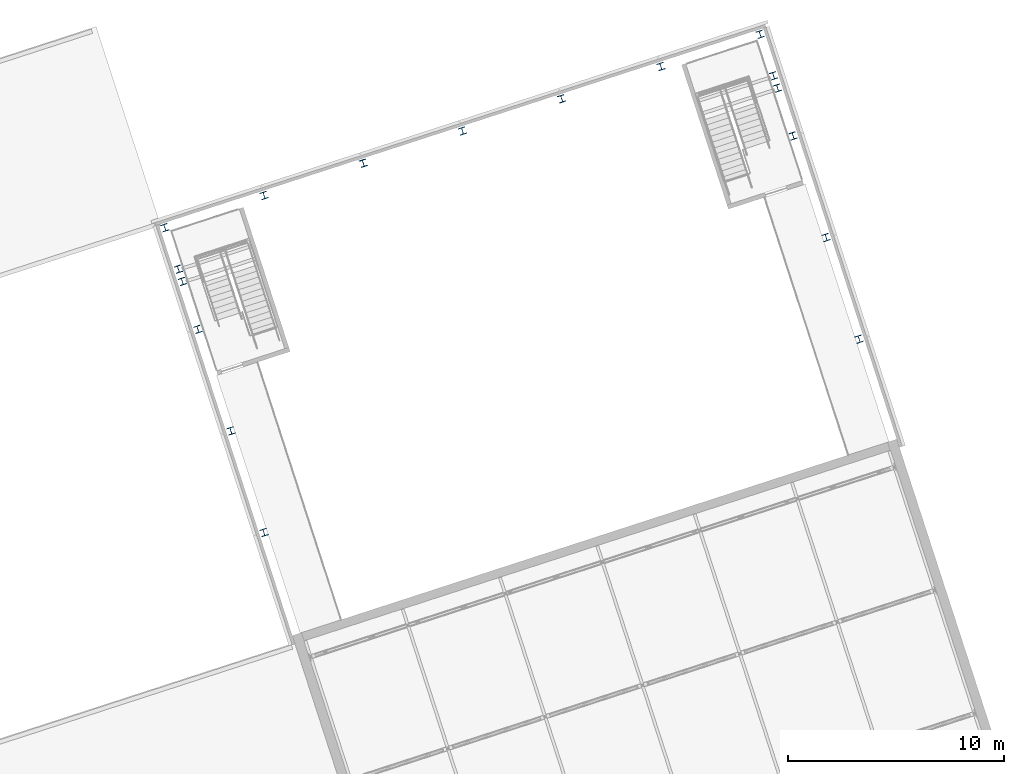
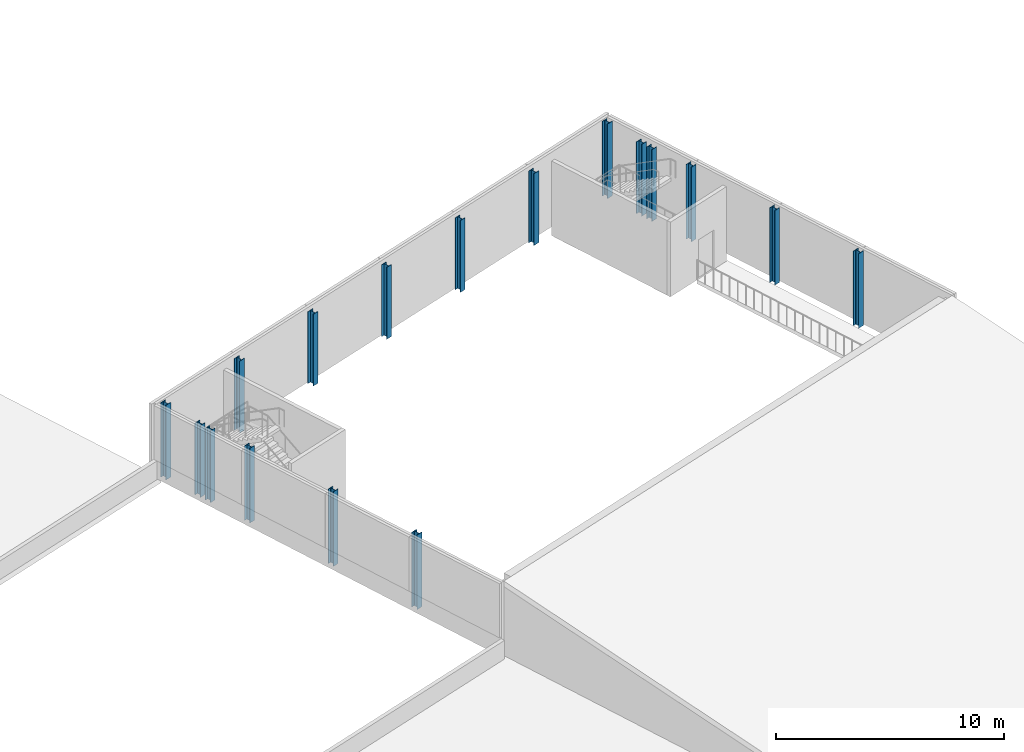
# One storey, part 1 of 55: 17 columns.
"""IFC4 building model written with IfcOpenShell, lengths in metres."""

from ifc_helpers import new_model, si_unit, direction, frame, origin, origin_2d, place, context, subcontext, project, spatial, i_section, extrude, material, material_profile, profile_set, type_object, element, save


model = new_model("IFC4")

# Units and contexts
model_context = context("Model", 3, precision=1e-05, world=origin(), true_north=direction((0.0, 1.0)))
body_context = subcontext(model_context, "Body", "Model", "MODEL_VIEW")
ifc_project = project(units=[si_unit("LENGTHUNIT", "METRE"), si_unit("AREAUNIT", "SQUARE_METRE"), si_unit("VOLUMEUNIT", "CUBIC_METRE"), si_unit("PLANEANGLEUNIT", "RADIAN"), si_unit("MASSUNIT", "GRAM", prefix="KILO")], contexts=[model_context])

# Site, building, storey
site_placement = place(None, origin())
site = spatial("IfcSite", under=ifc_project, at=site_placement, CompositionType="ELEMENT")
building_placement = place(site_placement, origin())
building = spatial("IfcBuilding", under=site, at=building_placement, Name="Tuart Plaza Theatre", CompositionType="ELEMENT")
storey_placement = place(building_placement, frame((0.0, 0.0, 21.5)))
storey = spatial("IfcBuildingStorey", under=building, at=storey_placement, Name="L05", CompositionType="ELEMENT", Elevation=21.5)

# Columns
ifc_material = material(Name="Steel Grade 300", Category="steel")
ifc_material_profile = material_profile(ifc_material, i_section(OverallWidth=0.31103515625, OverallDepth=0.326904296875, WebThickness=0.015625, FlangeThickness=0.02490234375, FilletRadius=0.0166015625, at=origin_2d()), Name="310UC158")
ifc_profile_set = profile_set([ifc_material_profile], Name="Steel Grade 300")
column_type = type_object("IfcColumnType", Name="COLUMN 310UC158", PredefinedType="COLUMN", material=ifc_profile_set)
for number, where, z_axis, x_axis, name in (
    (1, (35.976806640625, 85.158935546875, 0.0), (0.0, 0.0, 1.0), (0.951056516295, 0.309016994375, 0.0), "SC1"),
    (2, (35.79150390625, 85.7294921875, 0.0), (0.0, 0.0, 1.0), (0.951056516295, 0.309016994375, 0.0), "SC2"),
    (3, (63.557373046875, 94.120361328125, 0.0), (0.0, 0.0, 1.0), (0.951056516295, 0.309016994375, 0.0), "SC3"),
    (4, (63.3720703125, 94.691162109375, 0.0), (0.0, 0.0, 1.0), (0.951056516295, 0.309016994375, 0.0), "SC4"),
):
    element("IfcColumn", number, at=place(storey_placement, frame(where, z_axis=z_axis, x_axis=x_axis)), inside=storey, type_object=column_type, Name=name, PredefinedType="COLUMN", context=body_context, shape_type="SweptSolid", body=[
        extrude(i_section(OverallWidth=0.31103515625, OverallDepth=0.326904296875, WebThickness=0.015625, FlangeThickness=0.02490234375, FilletRadius=0.0166015625, at=origin_2d()), origin(), (0.0, 0.0, 1.0), 3.85009765625),
    ])
for number, where, z_axis, x_axis, name in (
    (5, (39.756103515625, 73.527587890625, 0.0), (0.0, 0.0, 1.0), (0.951056516295, 0.309016994375, 0.0), "SC5"),
    (6, (67.336669921875, 82.489013671875, 0.0), (0.0, 0.0, 1.0), (0.951056516295, 0.309016994375, 0.0), "SC6"),
    (7, (38.2265625, 78.2353515625, 0.0), (0.0, 0.0, 1.0), (0.951056516295, 0.309016994375, 0.0), "SC7"),
    (8, (65.80712890625, 87.19677734375, 0.0), (0.0, 0.0, 1.0), (0.951056516295, 0.309016994375, 0.0), "SC8"),
    (9, (36.69677734375, 82.94287109375, 0.0), (0.0, 0.0, 1.0), (0.951056516295, 0.309016994375, 0.0), "SC9"),
    (10, (64.27734375, 91.904541015625, 0.0), (0.0, 0.0, 1.0), (0.951056516295, 0.309016994375, 0.0), "SC10"),
    (11, (35.167236328125, 87.650634765625, 0.0), (0.0, 0.0, 1.0), (0.951056516295, 0.309016994375, 0.0), "SC11"),
):
    element("IfcColumn", number, at=place(storey_placement, frame(where, z_axis=z_axis, x_axis=x_axis)), inside=storey, type_object=column_type, Name=name, PredefinedType="COLUMN", context=body_context, shape_type="SweptSolid", body=[
        extrude(i_section(OverallWidth=0.31103515625, OverallDepth=0.326904296875, WebThickness=0.015625, FlangeThickness=0.02490234375, FilletRadius=0.0166015625, at=origin_2d()), origin(), (0.0, 0.0, 1.0), 4.0),
    ])
for number, where, z_axis, x_axis, name in (
    (12, (39.763916015625, 89.144287109375, 0.0), (0.0, 0.0, 1.0), (0.951056516295, 0.309016994375, 0.0), "SC12"),
    (13, (44.36083984375, 90.637939453125, 0.0), (0.0, 0.0, 1.0), (0.951056516295, 0.309016994375, 0.0), "SC13"),
    (14, (48.95751953125, 92.13134765625, 0.0), (0.0, 0.0, 1.0), (0.951056516295, 0.309016994375, 0.0), "SC14"),
    (15, (53.55419921875, 93.625, 0.0), (0.0, 0.0, 1.0), (0.951056516295, 0.309016994375, 0.0), "SC15"),
    (16, (58.151123046875, 95.11865234375, 0.0), (0.0, 0.0, 1.0), (0.951056516295, 0.309016994375, 0.0), "SC16"),
):
    element("IfcColumn", number, at=place(storey_placement, frame(where, z_axis=z_axis, x_axis=x_axis)), inside=storey, type_object=column_type, Name=name, PredefinedType="COLUMN", context=body_context, shape_type="SweptSolid", body=[
        extrude(i_section(OverallWidth=0.31103515625, OverallDepth=0.326904296875, WebThickness=0.015625, FlangeThickness=0.02490234375, FilletRadius=0.0166015625, at=origin_2d()), origin(), (0.0, 0.0, 1.0), 3.85009765625),
    ])
column_placement = place(storey_placement, frame((62.747802734375, 96.6123046875, 0.0), z_axis=(0.0, 0.0, 1.0), x_axis=(0.951056516295, 0.309016994375, 0.0)))
element("IfcColumn", 17, at=column_placement, inside=storey, type_object=column_type, Name="SC17", PredefinedType="COLUMN", context=body_context, shape_type="SweptSolid", body=[
    extrude(i_section(OverallWidth=0.31103515625, OverallDepth=0.326904296875, WebThickness=0.015625, FlangeThickness=0.02490234375, FilletRadius=0.0166015625, at=origin_2d()), origin(), (0.0, 0.0, 1.0), 4.0),
])

save(model, "model.ifc")
